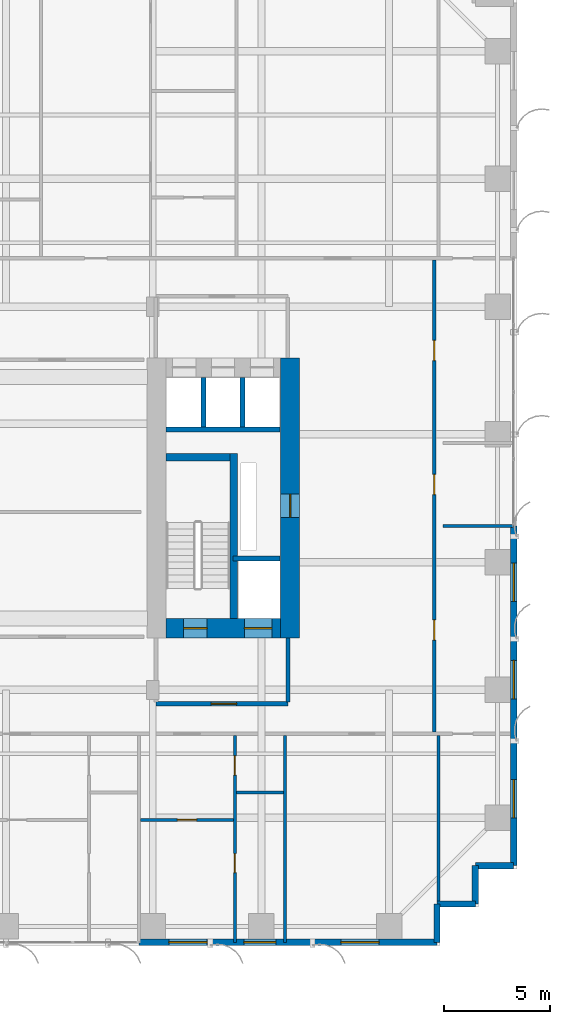
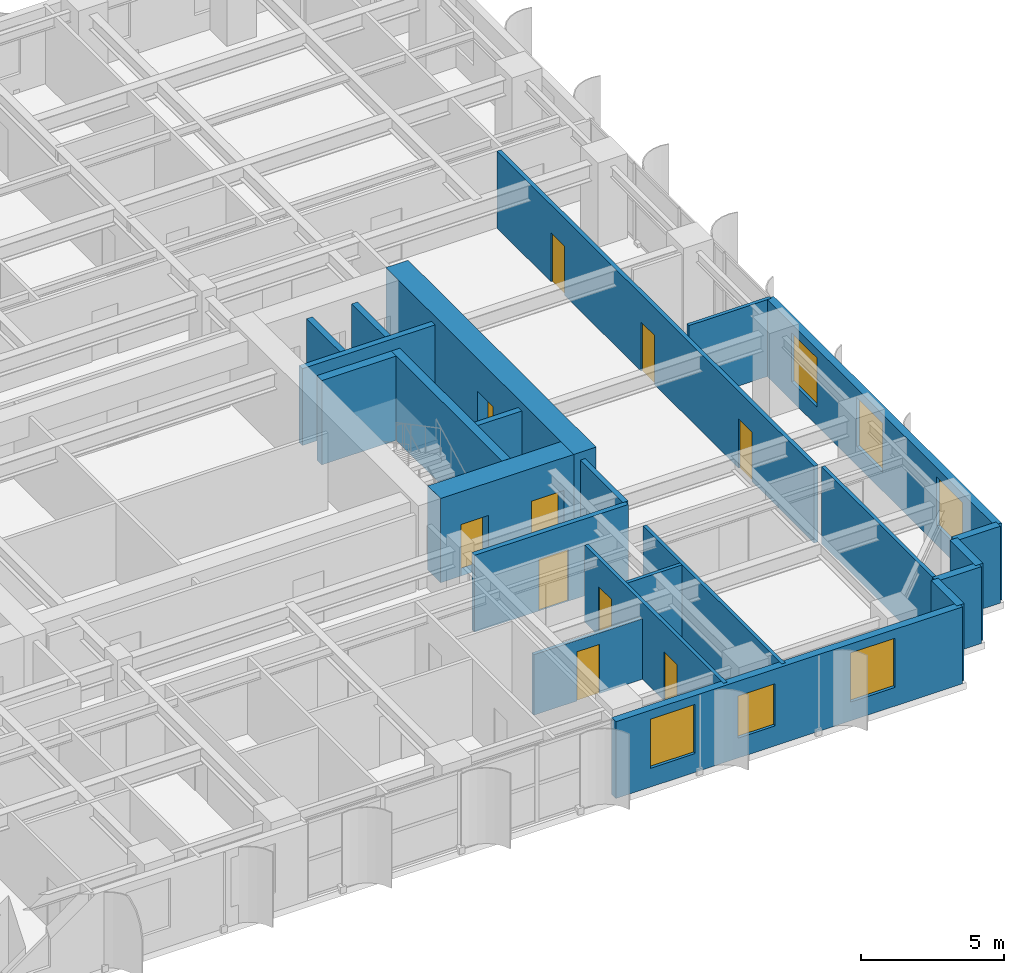
# One storey, part 17 of 23: 23 walls, 10 doors, 6 windows, 16 openings.
"""IFC4 building model written with IfcOpenShell, lengths in metres."""

from ifc_helpers import new_model, si_unit, direction, frame, frame_2d, origin, place, context, subcontext, project, spatial, rectangle, extrude, source, transform, mapped, material, layer, layer_set, type_object, element, fill, save


model = new_model("IFC4")

# Units and contexts
model_context = context("Model", 3, precision=1e-05, world=origin(), true_north=direction((0.0, 1.0)))
body_context = subcontext(model_context, "Body", "Model", "MODEL_VIEW")
ifc_project = project(units=[si_unit("LENGTHUNIT", "METRE"), si_unit("AREAUNIT", "SQUARE_METRE"), si_unit("VOLUMEUNIT", "CUBIC_METRE"), si_unit("PLANEANGLEUNIT", "RADIAN"), si_unit("MASSUNIT", "GRAM", prefix="KILO")], contexts=[model_context])

# Site, building, storey
site_placement = place(None, origin())
site = spatial("IfcSite", under=ifc_project, at=site_placement, CompositionType="ELEMENT")
building_placement = place(site_placement, origin())
building = spatial("IfcBuilding", under=site, at=building_placement, Name="Khoralis Quay Care Tower", CompositionType="ELEMENT")
storey_placement = place(building_placement, frame((0.0, 0.0, 72.89990234375)))
storey = spatial("IfcBuildingStorey", under=building, at=storey_placement, Name="L19", CompositionType="ELEMENT", Elevation=72.89990234375)

# Wall, opening, door
ifc_material_1 = material(Name="Gypsum plasterboard on acoustic metal stud")
ifc_layer_1 = layer(ifc_material_1, 0.199951171875)
ifc_layer_set_1 = layer_set([ifc_layer_1], Name="Gypsum plasterboard on acoustic metal stud")
wall_type_1 = type_object("IfcWallType", Name="WL-COMP-200", PredefinedType="PARTITIONING", material=ifc_layer_set_1)
wall_1_placement = place(storey_placement, frame((31.050048828125, 11.35009765625, 0.0), z_axis=(0.0, 0.0, 1.0), x_axis=(1.0, 0.0, 0.0)))
wall_1 = element("IfcWall", 1, at=wall_1_placement, inside=storey, type_object=wall_type_1, Name="L19 East Firefighting Lobby South Wall", PredefinedType="PARTITIONING", context=body_context, shape_type="SweptSolid", body=[
    extrude(rectangle(XDim=6.199951171875, YDim=0.199951171875, at=frame_2d((3.10009765625, 0.0))), origin(), (0.0, 0.0, 1.0), 3.280029296875),
])
opening_1_placement = place(wall_1_placement, frame((2.585693359375, 0.0, 0.0)))
opening_1 = element("IfcOpeningElement", 2, at=opening_1_placement, cuts=wall_1, Name="Opening FD1", PredefinedType="OPENING", context=body_context, shape_type="SweptSolid", body=[
    extrude(rectangle(XDim=1.199951171875, YDim=2.199951171875, at=frame_2d((0.60009765625, 1.10009765625))), frame((0.0, 0.10986328125, 0.0), z_axis=(0.0, -1.0, 0.0), x_axis=(1.0, 0.0, 0.0)), (0.0, 0.0, 1.0), 0.219970703125),
])
ifc_material_2 = material(Name="Fire-rated painted steel", Category="steel")
door_type_1 = type_object("IfcDoorType", Name="DR-FFL-1200X2200", OperationType="NOTDEFINED", PredefinedType="DOOR", material=ifc_material_2)
shared_shape_1 = source(origin(), body_context, "Body", "SweptSolid", [
    extrude(rectangle(XDim=1.199951171875, YDim=2.199951171875, at=frame_2d((0.60009765625, 1.10009765625))), frame((0.0, 0.02490234375, 0.0), z_axis=(0.0, -1.0, 0.0), x_axis=(1.0, 0.0, 0.0)), (0.0, 0.0, 1.0), 0.050048828125),
])
door_1_placement = place(opening_1_placement, origin())
door_1 = element("IfcDoor", 3, at=door_1_placement, inside=storey, type_object=door_type_1, Name="L19 East Firefighting Lobby Fire Door", OperationType="SINGLE_SWING_RIGHT", OverallHeight=2.199951171875, OverallWidth=1.199951171875, PredefinedType="DOOR", context=body_context, shape_type="MappedRepresentation", body=[
    mapped(shared_shape_1, transform((0.0, 0.0, 0.0), scale=1.0)),
])
fill(opening_1, door_1)

# Wall
wall_2_placement = place(storey_placement, frame((37.25, 11.445068359375, 0.0), z_axis=(0.0, 0.0, 1.0), x_axis=(0.0, 1.0, 0.0)))
element("IfcWall", 4, at=wall_2_placement, inside=storey, type_object=wall_type_1, Name="L19 East Firefighting Lobby East Wall", PredefinedType="PARTITIONING", context=body_context, shape_type="SweptSolid", body=[
    extrude(rectangle(XDim=2.98486328125, YDim=0.199951171875, at=frame_2d((1.492431640625, 0.0))), origin(), (0.0, 0.0, 1.0), 3.280029296875),
])

# Wall, opening, door
ifc_material_3 = material(Name="Concrete C80/95", Category="concrete")
ifc_layer_2 = layer(ifc_material_3, 0.89990234375)
ifc_layer_set_2 = layer_set([ifc_layer_2], Name="Concrete C80/95")
wall_type_2 = type_object("IfcWallType", Name="WL-CORE-900", PredefinedType="SHEAR", material=ifc_layer_set_2)
wall_3_placement = place(storey_placement, frame((37.35009765625, 14.449951171875, 0.0), z_axis=(0.0, 0.0, 1.0), x_axis=(0.0, 1.0, 0.0)))
wall_3 = element("IfcWall", 5, at=wall_3_placement, inside=storey, type_object=wall_type_2, Name="L19 ECORE East Shear Wall", PredefinedType="SHEAR", context=body_context, shape_type="SweptSolid", body=[
    extrude(rectangle(XDim=13.150146484375, YDim=0.89990234375, at=frame_2d((6.5751953125, 0.0))), origin(), (0.0, 0.0, 1.0), 3.60009765625),
])
opening_2_placement = place(wall_3_placement, frame((5.64990234375, 0.0, 0.0)))
opening_2 = element("IfcOpeningElement", 6, at=opening_2_placement, cuts=wall_3, Name="Opening SD1", PredefinedType="OPENING", context=body_context, shape_type="SweptSolid", body=[
    extrude(rectangle(XDim=1.10009765625, YDim=2.199951171875, at=frame_2d((0.550048828125, 1.10009765625))), frame((0.0, 0.4599609375, 0.0), z_axis=(0.0, -1.0, 0.0), x_axis=(1.0, 0.0, 0.0)), (0.0, 0.0, 1.0), 0.919921875),
])
door_type_2 = type_object("IfcDoorType", Name="DR-STAIR-1100X2200", OperationType="NOTDEFINED", PredefinedType="DOOR", material=ifc_material_2)
shared_shape_2 = source(origin(), body_context, "Body", "SweptSolid", [
    extrude(rectangle(XDim=1.10009765625, YDim=2.199951171875, at=frame_2d((0.550048828125, 1.10009765625))), frame((0.0, 0.02490234375, 0.0), z_axis=(0.0, -1.0, 0.0), x_axis=(1.0, 0.0, 0.0)), (0.0, 0.0, 1.0), 0.050048828125),
])
door_2_placement = place(opening_2_placement, frame((1.10009765625, 0.0, 0.0), z_axis=(0.0, 0.0, 1.0), x_axis=(-1.0, 0.0, 0.0)))
door_2 = element("IfcDoor", 7, at=door_2_placement, inside=storey, type_object=door_type_2, Name="L19 East MEP Riser Door", OperationType="SINGLE_SWING_RIGHT", OverallHeight=2.199951171875, OverallWidth=1.10009765625, PredefinedType="DOOR", context=body_context, shape_type="MappedRepresentation", body=[
    mapped(shared_shape_2, transform((0.0, 0.0, 0.0), scale=1.0)),
])
fill(opening_2, door_2)

# Wall, openings, doors
wall_4_placement = place(storey_placement, frame((31.52001953125, 14.89990234375, 0.0), z_axis=(0.0, 0.0, 1.0), x_axis=(1.0, 0.0, 0.0)))
wall_4 = element("IfcWall", 8, at=wall_4_placement, inside=storey, type_object=wall_type_2, Name="L19 ECORE South Shear Wall", PredefinedType="SHEAR", context=body_context, shape_type="SweptSolid", body=[
    extrude(rectangle(XDim=5.3798828125, YDim=0.89990234375, at=frame_2d((2.68994140625, 0.0))), origin(), (0.0, 0.0, 1.0), 3.60009765625),
])
opening_3_placement = place(wall_4_placement, frame((0.830078125, 0.0, 0.0)))
opening_3 = element("IfcOpeningElement", 9, at=opening_3_placement, cuts=wall_4, Name="Opening SD1", PredefinedType="OPENING", context=body_context, shape_type="SweptSolid", body=[
    extrude(rectangle(XDim=1.10009765625, YDim=2.199951171875, at=frame_2d((0.550048828125, 1.10009765625))), frame((0.0, 0.4599609375, 0.0), z_axis=(0.0, -1.0, 0.0), x_axis=(1.0, 0.0, 0.0)), (0.0, 0.0, 1.0), 0.919921875),
])
opening_4_placement = place(wall_4_placement, frame((3.679931640625, 0.0, 0.0)))
opening_4 = element("IfcOpeningElement", 10, at=opening_4_placement, cuts=wall_4, Name="Opening LD2", PredefinedType="OPENING", context=body_context, shape_type="SweptSolid", body=[
    extrude(rectangle(XDim=1.300048828125, YDim=2.199951171875, at=frame_2d((0.64990234375, 1.10009765625))), frame((0.0, 0.4599609375, 0.0), z_axis=(0.0, -1.0, 0.0), x_axis=(1.0, 0.0, 0.0)), (0.0, 0.0, 1.0), 0.919921875),
])
door_3_placement = place(opening_3_placement, origin())
door_3 = element("IfcDoor", 11, at=door_3_placement, inside=storey, type_object=door_type_2, Name="L19 Stair ST-T2 Fire Door", OperationType="SINGLE_SWING_RIGHT", OverallHeight=2.199951171875, OverallWidth=1.10009765625, PredefinedType="DOOR", context=body_context, shape_type="MappedRepresentation", body=[
    mapped(shared_shape_2, transform((0.0, 0.0, 0.0), scale=1.0)),
])
fill(opening_3, door_3)
ifc_material_4 = material(Name="Brushed stainless steel", Category="steel")
door_type_3 = type_object("IfcDoorType", Name="DR-LIFT-1300X2200", OperationType="SLIDING_TO_RIGHT", PredefinedType="DOOR", material=ifc_material_4)
shared_shape_3 = source(origin(), body_context, "Body", "SweptSolid", [
    extrude(rectangle(XDim=1.300048828125, YDim=2.199951171875, at=frame_2d((0.64990234375, 1.10009765625))), frame((0.0, 0.02490234375, 0.0), z_axis=(0.0, -1.0, 0.0), x_axis=(1.0, 0.0, 0.0)), (0.0, 0.0, 1.0), 0.050048828125),
])
door_4_placement = place(opening_4_placement, origin())
door_4 = element("IfcDoor", 12, at=door_4_placement, inside=storey, type_object=door_type_3, Name="L19 Firefighting Lift FFL-2 Landing Door", OperationType="SLIDING_TO_RIGHT", OverallHeight=2.199951171875, OverallWidth=1.300048828125, PredefinedType="DOOR", context=body_context, shape_type="MappedRepresentation", body=[
    mapped(shared_shape_3, transform((0.0, 0.0, 0.0), scale=1.0)),
])
fill(opening_4, door_4)

ifc_layer_3 = layer(ifc_material_1, 0.1650390625)
ifc_layer_set_3 = layer_set([ifc_layer_3], Name="Gypsum plasterboard on acoustic metal stud")
wall_type_3 = type_object("IfcWallType", Name="WL-CORR-165", PredefinedType="PARTITIONING", material=ifc_layer_set_3)
wall_5_placement = place(storey_placement, frame((44.1201171875, 10.017578125, 0.0), z_axis=(0.0, 0.0, 1.0), x_axis=(0.0, 1.0, 0.0)))
wall_5 = element("IfcWall", 13, at=wall_5_placement, inside=storey, type_object=wall_type_3, Name="L19 East Loop Corridor Wall", PredefinedType="PARTITIONING", context=body_context, shape_type="SweptSolid", body=[
    extrude(rectangle(XDim=22.184814453125, YDim=0.1650390625, at=frame_2d((11.09228515625, 0.0))), origin(), (0.0, 0.0, 1.0), 3.280029296875),
])
opening_5_placement = place(wall_5_placement, frame((4.327392578125, 0.0, 0.0)))
opening_5 = element("IfcOpeningElement", 14, at=opening_5_placement, cuts=wall_5, Name="Opening ID1", PredefinedType="OPENING", context=body_context, shape_type="SweptSolid", body=[
    extrude(rectangle(XDim=0.949951171875, YDim=2.10009765625, at=frame_2d((0.47509765625, 1.050048828125))), frame((0.0, 0.092529296875, 0.0), z_axis=(0.0, -1.0, 0.0), x_axis=(1.0, 0.0, 0.0)), (0.0, 0.0, 1.0), 0.18505859375),
])
opening_6_placement = place(wall_5_placement, frame((11.157470703125, 0.0, 0.0)))
opening_6 = element("IfcOpeningElement", 15, at=opening_6_placement, cuts=wall_5, Name="Opening ID1", PredefinedType="OPENING", context=body_context, shape_type="SweptSolid", body=[
    extrude(rectangle(XDim=0.949951171875, YDim=2.10009765625, at=frame_2d((0.47509765625, 1.050048828125))), frame((0.0, 0.092529296875, 0.0), z_axis=(0.0, -1.0, 0.0), x_axis=(1.0, 0.0, 0.0)), (0.0, 0.0, 1.0), 0.18505859375),
])
opening_7_placement = place(wall_5_placement, frame((17.447509765625, 0.0, 0.0)))
opening_7 = element("IfcOpeningElement", 16, at=opening_7_placement, cuts=wall_5, Name="Opening ID1", PredefinedType="OPENING", context=body_context, shape_type="SweptSolid", body=[
    extrude(rectangle(XDim=0.949951171875, YDim=2.10009765625, at=frame_2d((0.47509765625, 1.050048828125))), frame((0.0, 0.092529296875, 0.0), z_axis=(0.0, -1.0, 0.0), x_axis=(1.0, 0.0, 0.0)), (0.0, 0.0, 1.0), 0.18505859375),
])
ifc_material_5 = material(Name="Acoustic hardwood timber", Category="wood")
door_type_4 = type_object("IfcDoorType", Name="DR-ROOM-950X2100", OperationType="NOTDEFINED", PredefinedType="DOOR", material=ifc_material_5)
shared_shape_4 = source(origin(), body_context, "Body", "SweptSolid", [
    extrude(rectangle(XDim=0.949951171875, YDim=2.10009765625, at=frame_2d((0.47509765625, 1.050048828125))), frame((0.0, 0.02490234375, 0.0), z_axis=(0.0, -1.0, 0.0), x_axis=(1.0, 0.0, 0.0)), (0.0, 0.0, 1.0), 0.050048828125),
])
door_5_placement = place(opening_5_placement, frame((0.949951171875, 0.0, 0.0), z_axis=(0.0, 0.0, 1.0), x_axis=(-1.0, 0.0, 0.0)))
door_5 = element("IfcDoor", 17, at=door_5_placement, inside=storey, type_object=door_type_4, Name="L19 Therapy Consultation Room Door", OperationType="SINGLE_SWING_LEFT", OverallHeight=2.10009765625, OverallWidth=0.949951171875, PredefinedType="DOOR", context=body_context, shape_type="MappedRepresentation", body=[
    mapped(shared_shape_4, transform((0.0, 0.0, 0.0), scale=1.0)),
])
fill(opening_5, door_5)
door_6_placement = place(opening_6_placement, frame((0.949951171875, 0.0, 0.0), z_axis=(0.0, 0.0, 1.0), x_axis=(-1.0, 0.0, 0.0)))
door_6 = element("IfcDoor", 18, at=door_6_placement, inside=storey, type_object=door_type_4, Name="L19 Assisted Activity Lounge Door", OperationType="SINGLE_SWING_RIGHT", OverallHeight=2.10009765625, OverallWidth=0.949951171875, PredefinedType="DOOR", context=body_context, shape_type="MappedRepresentation", body=[
    mapped(shared_shape_4, transform((0.0, 0.0, 0.0), scale=1.0)),
])
fill(opening_6, door_6)
door_7_placement = place(opening_7_placement, frame((0.949951171875, 0.0, 0.0), z_axis=(0.0, 0.0, 1.0), x_axis=(-1.0, 0.0, 0.0)))
door_7 = element("IfcDoor", 19, at=door_7_placement, inside=storey, type_object=door_type_4, Name="L19 Nurse Charting Office Door", OperationType="SINGLE_SWING_LEFT", OverallHeight=2.10009765625, OverallWidth=0.949951171875, PredefinedType="DOOR", context=body_context, shape_type="MappedRepresentation", body=[
    mapped(shared_shape_4, transform((0.0, 0.0, 0.0), scale=1.0)),
])
fill(opening_7, door_7)

# Wall, openings, windows
ifc_material_6 = material(Name="Precast concrete C45/55", Category="concrete")
ifc_layer_4 = layer(ifc_material_6, 0.300048828125)
ifc_layer_set_4 = layer_set([ifc_layer_4], Name="Precast concrete C45/55")
wall_type_4 = type_object("IfcWallType", Name="WL-EXT-REF-300", PredefinedType="SOLIDWALL", material=ifc_layer_set_4)
wall_6_placement = place(storey_placement, frame((30.25, 0.14990234375, 0.0), z_axis=(0.0, 0.0, 1.0), x_axis=(1.0, 0.0, 0.0)))
wall_6 = element("IfcWall", 20, at=wall_6_placement, inside=storey, type_object=wall_type_4, Name="L19 External Facade Wall WL-EXT-L19-P1-E0B", PredefinedType="SOLIDWALL", context=body_context, shape_type="SweptSolid", body=[
    extrude(rectangle(XDim=14.0, YDim=0.300048828125, at=frame_2d((7.0, 0.0))), origin(), (0.0, 0.0, 1.0), 3.280029296875),
])
opening_8_placement = place(wall_6_placement, frame((1.405029296875, 0.0, 0.800048828125)))
opening_8 = element("IfcOpeningElement", 21, at=opening_8_placement, cuts=wall_6, Name="Opening W2", PredefinedType="OPENING", context=body_context, shape_type="SweptSolid", body=[
    extrude(rectangle(XDim=1.800048828125, YDim=2.10009765625, at=frame_2d((0.89990234375, 1.050048828125))), frame((0.0, 0.16015625, 0.0), z_axis=(0.0, -1.0, 0.0), x_axis=(1.0, 0.0, 0.0)), (0.0, 0.0, 1.0), 0.320068359375),
])
opening_9_placement = place(wall_6_placement, frame((4.93505859375, 0.0, 0.85009765625)))
opening_9 = element("IfcOpeningElement", 22, at=opening_9_placement, cuts=wall_6, Name="Opening W3", PredefinedType="OPENING", context=body_context, shape_type="SweptSolid", body=[
    extrude(rectangle(XDim=1.5, YDim=1.800048828125, at=frame_2d((0.75, 0.89990234375))), frame((0.0, 0.16015625, 0.0), z_axis=(0.0, -1.0, 0.0), x_axis=(1.0, 0.0, 0.0)), (0.0, 0.0, 1.0), 0.320068359375),
])
opening_10_placement = place(wall_6_placement, frame((9.47998046875, 0.0, 0.800048828125)))
opening_10 = element("IfcOpeningElement", 23, at=opening_10_placement, cuts=wall_6, Name="Opening W2", PredefinedType="OPENING", context=body_context, shape_type="SweptSolid", body=[
    extrude(rectangle(XDim=1.800048828125, YDim=2.10009765625, at=frame_2d((0.89990234375, 1.050048828125))), frame((0.0, 0.16015625, 0.0), z_axis=(0.0, -1.0, 0.0), x_axis=(1.0, 0.0, 0.0)), (0.0, 0.0, 1.0), 0.320068359375),
])
ifc_material_7 = material(Name="Low-E solar-control double glazing", Category="glass")
window_type_1 = type_object("IfcWindowType", Name="WN-CLIN-1500X1800", PartitioningType="SINGLE_PANEL", PredefinedType="WINDOW", material=ifc_material_7)
shared_shape_5 = source(origin(), body_context, "Body", "SweptSolid", [
    extrude(rectangle(XDim=1.5, YDim=1.800048828125, at=frame_2d((0.75, 0.89990234375))), frame((0.0, 0.030029296875, 0.0), z_axis=(0.0, -1.0, 0.0), x_axis=(1.0, 0.0, 0.0)), (0.0, 0.0, 1.0), 0.06005859375),
])
window_1_placement = place(opening_9_placement, origin())
window_1 = element("IfcWindow", 24, at=window_1_placement, inside=storey, type_object=window_type_1, Name="WN-L19-P1-E0B Facade Window 02", OverallHeight=1.800048828125, OverallWidth=1.5, PartitioningType="SINGLE_PANEL", PredefinedType="WINDOW", context=body_context, shape_type="MappedRepresentation", body=[
    mapped(shared_shape_5, transform((0.0, 0.0, 0.0), scale=1.0)),
])
fill(opening_9, window_1)
window_type_2 = type_object("IfcWindowType", Name="WN-POD-1800X2100", PartitioningType="SINGLE_PANEL", PredefinedType="WINDOW", material=ifc_material_7)
shared_shape_6 = source(origin(), body_context, "Body", "SweptSolid", [
    extrude(rectangle(XDim=1.800048828125, YDim=2.10009765625, at=frame_2d((0.89990234375, 1.050048828125))), frame((0.0, 0.030029296875, 0.0), z_axis=(0.0, -1.0, 0.0), x_axis=(1.0, 0.0, 0.0)), (0.0, 0.0, 1.0), 0.06005859375),
])
window_2_placement = place(opening_8_placement, origin())
window_2 = element("IfcWindow", 25, at=window_2_placement, inside=storey, type_object=window_type_2, Name="WN-L19-P1-E0B Facade Window 01", OverallHeight=2.10009765625, OverallWidth=1.800048828125, PartitioningType="SINGLE_PANEL", PredefinedType="WINDOW", context=body_context, shape_type="MappedRepresentation", body=[
    mapped(shared_shape_6, transform((0.0, 0.0, 0.0), scale=1.0)),
])
fill(opening_8, window_2)
window_3_placement = place(opening_10_placement, origin())
window_3 = element("IfcWindow", 26, at=window_3_placement, inside=storey, type_object=window_type_2, Name="WN-L19-P1-E0B Facade Window 03", OverallHeight=2.10009765625, OverallWidth=1.800048828125, PartitioningType="SINGLE_PANEL", PredefinedType="WINDOW", context=body_context, shape_type="MappedRepresentation", body=[
    mapped(shared_shape_6, transform((0.0, 0.0, 0.0), scale=1.0)),
])
fill(opening_10, window_3)

# Walls
for number, where, z_axis, x_axis, name in (
    (27, (44.25, 0.14990234375, 0.0), (0.0, 0.0, 1.0), (0.0, 1.0, 0.0), "L19 External Facade Wall WL-EXT-L19-P1-C1"),
    (28, (44.25, 1.949951171875, 0.0), (0.0, 0.0, 1.0), (1.0, 0.0, 0.0), "L19 External Facade Wall WL-EXT-L19-P1-C2"),
    (29, (46.050048828125, 1.949951171875, 0.0), (0.0, 0.0, 1.0), (0.0, 1.0, 0.0), "L19 External Facade Wall WL-EXT-L19-P1-C3"),
    (30, (46.050048828125, 3.75, 0.0), (0.0, 0.0, 1.0), (1.0, 0.0, 0.0), "L19 External Facade Wall WL-EXT-L19-P1-C4"),
):
    element("IfcWall", number, at=place(storey_placement, frame(where, z_axis=z_axis, x_axis=x_axis)), inside=storey, type_object=wall_type_4, Name=name, PredefinedType="SOLIDWALL", context=body_context, shape_type="SweptSolid", body=[
        extrude(rectangle(XDim=1.800048828125, YDim=0.300048828125, at=frame_2d((0.89990234375, 0.0))), origin(), (0.0, 0.0, 1.0), 3.280029296875),
    ])

# Wall, openings, windows
wall_7_placement = place(storey_placement, frame((47.85009765625, 3.75, 0.0), z_axis=(0.0, 0.0, 1.0), x_axis=(0.0, 1.0, 0.0)))
wall_7 = element("IfcWall", 31, at=wall_7_placement, inside=storey, type_object=wall_type_4, Name="L19 External Facade Wall WL-EXT-L19-P1-E5A", PredefinedType="SOLIDWALL", context=body_context, shape_type="SweptSolid", body=[
    extrude(rectangle(XDim=15.949951171875, YDim=0.300048828125, at=frame_2d((7.97509765625, 0.0))), origin(), (0.0, 0.0, 1.0), 3.280029296875),
])
opening_11_placement = place(wall_7_placement, frame((2.2451171875, 0.0, 0.800048828125)))
opening_11 = element("IfcOpeningElement", 32, at=opening_11_placement, cuts=wall_7, Name="Opening W2", PredefinedType="OPENING", context=body_context, shape_type="SweptSolid", body=[
    extrude(rectangle(XDim=1.800048828125, YDim=2.10009765625, at=frame_2d((0.89990234375, 1.050048828125))), frame((0.0, 0.16015625, 0.0), z_axis=(0.0, -1.0, 0.0), x_axis=(1.0, 0.0, 0.0)), (0.0, 0.0, 1.0), 0.320068359375),
])
opening_12_placement = place(wall_7_placement, frame((7.8349609375, 0.0, 0.800048828125)))
opening_12 = element("IfcOpeningElement", 33, at=opening_12_placement, cuts=wall_7, Name="Opening W2", PredefinedType="OPENING", context=body_context, shape_type="SweptSolid", body=[
    extrude(rectangle(XDim=1.800048828125, YDim=2.10009765625, at=frame_2d((0.89990234375, 1.050048828125))), frame((0.0, 0.16015625, 0.0), z_axis=(0.0, -1.0, 0.0), x_axis=(1.0, 0.0, 0.0)), (0.0, 0.0, 1.0), 0.320068359375),
])
opening_13_placement = place(wall_7_placement, frame((12.405029296875, 0.0, 0.800048828125)))
opening_13 = element("IfcOpeningElement", 34, at=opening_13_placement, cuts=wall_7, Name="Opening W2", PredefinedType="OPENING", context=body_context, shape_type="SweptSolid", body=[
    extrude(rectangle(XDim=1.800048828125, YDim=2.10009765625, at=frame_2d((0.89990234375, 1.050048828125))), frame((0.0, 0.16015625, 0.0), z_axis=(0.0, -1.0, 0.0), x_axis=(1.0, 0.0, 0.0)), (0.0, 0.0, 1.0), 0.320068359375),
])
window_4_placement = place(opening_11_placement, origin())
window_4 = element("IfcWindow", 35, at=window_4_placement, inside=storey, type_object=window_type_2, Name="WN-L19-P1-E5A Facade Window 01", OverallHeight=2.10009765625, OverallWidth=1.800048828125, PartitioningType="SINGLE_PANEL", PredefinedType="WINDOW", context=body_context, shape_type="MappedRepresentation", body=[
    mapped(shared_shape_6, transform((0.0, 0.0, 0.0), scale=1.0)),
])
fill(opening_11, window_4)
window_5_placement = place(opening_12_placement, origin())
window_5 = element("IfcWindow", 36, at=window_5_placement, inside=storey, type_object=window_type_2, Name="WN-L19-P1-E5A Facade Window 02", OverallHeight=2.10009765625, OverallWidth=1.800048828125, PartitioningType="SINGLE_PANEL", PredefinedType="WINDOW", context=body_context, shape_type="MappedRepresentation", body=[
    mapped(shared_shape_6, transform((0.0, 0.0, 0.0), scale=1.0)),
])
fill(opening_12, window_5)
window_6_placement = place(opening_13_placement, origin())
window_6 = element("IfcWindow", 37, at=window_6_placement, inside=storey, type_object=window_type_2, Name="WN-L19-P1-E5A Facade Window 03", OverallHeight=2.10009765625, OverallWidth=1.800048828125, PartitioningType="SINGLE_PANEL", PredefinedType="WINDOW", context=body_context, shape_type="MappedRepresentation", body=[
    mapped(shared_shape_6, transform((0.0, 0.0, 0.0), scale=1.0)),
])
fill(opening_13, window_6)

# Wall, openings, doors
ifc_material_8 = material(Name="Moisture-resistant gypsum and ceramic tile")
ifc_layer_5 = layer(ifc_material_8, 0.280029296875)
ifc_layer_set_5 = layer_set([ifc_layer_5], Name="Moisture-resistant gypsum and ceramic tile")
wall_type_5 = type_object("IfcWallType", Name="WL-PLUMB-280", PredefinedType="PLUMBINGWALL", material=ifc_layer_set_5)
wall_8_placement = place(storey_placement, frame((34.760009765625, 0.14501953125, 0.0), z_axis=(0.0, 0.0, 1.0), x_axis=(0.0, 1.0, 0.0)))
wall_8 = element("IfcWall", 38, at=wall_8_placement, inside=storey, type_object=wall_type_5, Name="L19 Care Suite 3 En-Suite Wall V", PredefinedType="PLUMBINGWALL", context=body_context, shape_type="SweptSolid", body=[
    extrude(rectangle(XDim=9.717529296875, YDim=0.139892578125, at=frame_2d((4.85888671875, 0.0))), origin(), (0.0, 0.0, 1.0), 3.280029296875),
])
opening_14_placement = place(wall_8_placement, frame((7.85498046875, 0.0, 0.0)))
opening_14 = element("IfcOpeningElement", 39, at=opening_14_placement, cuts=wall_8, Name="Opening WD1", PredefinedType="OPENING", context=body_context, shape_type="SweptSolid", body=[
    extrude(rectangle(XDim=0.89990234375, YDim=2.10009765625, at=frame_2d((0.449951171875, 1.050048828125))), frame((0.0, 0.080078125, 0.0), z_axis=(0.0, -1.0, 0.0), x_axis=(1.0, 0.0, 0.0)), (0.0, 0.0, 1.0), 0.159912109375),
])
opening_15_placement = place(wall_8_placement, frame((3.27490234375, 0.0, 0.0)))
opening_15 = element("IfcOpeningElement", 40, at=opening_15_placement, cuts=wall_8, Name="Opening WD1", PredefinedType="OPENING", context=body_context, shape_type="SweptSolid", body=[
    extrude(rectangle(XDim=0.89990234375, YDim=2.10009765625, at=frame_2d((0.449951171875, 1.050048828125))), frame((0.0, 0.080078125, 0.0), z_axis=(0.0, -1.0, 0.0), x_axis=(1.0, 0.0, 0.0)), (0.0, 0.0, 1.0), 0.159912109375),
])
door_type_5 = type_object("IfcDoorType", Name="DR-BATH-900X2100", OperationType="NOTDEFINED", PredefinedType="DOOR", material=ifc_material_5)
shared_shape_7 = source(origin(), body_context, "Body", "SweptSolid", [
    extrude(rectangle(XDim=0.89990234375, YDim=2.10009765625, at=frame_2d((0.449951171875, 1.050048828125))), frame((0.0, 0.02490234375, 0.0), z_axis=(0.0, -1.0, 0.0), x_axis=(1.0, 0.0, 0.0)), (0.0, 0.0, 1.0), 0.050048828125),
])
door_8_placement = place(opening_14_placement, frame((0.89990234375, 0.0, 0.0), z_axis=(0.0, 0.0, 1.0), x_axis=(-1.0, 0.0, 0.0)))
door_8 = element("IfcDoor", 41, at=door_8_placement, inside=storey, type_object=door_type_5, Name="L19 Care CENS Door", OperationType="SINGLE_SWING_LEFT", OverallHeight=2.10009765625, OverallWidth=0.89990234375, PredefinedType="DOOR", context=body_context, shape_type="MappedRepresentation", body=[
    mapped(shared_shape_7, transform((0.0, 0.0, 0.0), scale=1.0)),
])
fill(opening_14, door_8)
door_9_placement = place(opening_15_placement, frame((0.89990234375, 0.0, 0.0), z_axis=(0.0, 0.0, 1.0), x_axis=(-1.0, 0.0, 0.0)))
door_9 = element("IfcDoor", 42, at=door_9_placement, inside=storey, type_object=door_type_5, Name="L19 Care CSIT Door", OperationType="SINGLE_SWING_RIGHT", OverallHeight=2.10009765625, OverallWidth=0.89990234375, PredefinedType="DOOR", context=body_context, shape_type="MappedRepresentation", body=[
    mapped(shared_shape_7, transform((0.0, 0.0, 0.0), scale=1.0)),
])
fill(opening_15, door_9)

# Walls
wall_9_placement = place(storey_placement, frame((34.824951171875, 7.18994140625, 0.0), z_axis=(0.0, 0.0, 1.0), x_axis=(1.0, 0.0, 0.0)))
element("IfcWall", 43, at=wall_9_placement, inside=storey, type_object=wall_type_5, Name="L19 Care Suite 3 En-Suite Wall H", PredefinedType="PLUMBINGWALL", context=body_context, shape_type="SweptSolid", body=[
    extrude(rectangle(XDim=2.219970703125, YDim=0.139892578125, at=frame_2d((1.10986328125, 0.0))), origin(), (0.0, 0.0, 1.0), 3.280029296875),
])
ifc_material_9 = material(Name="Concrete C40/50", Category="concrete")
ifc_layer_6 = layer(ifc_material_9, 0.35009765625)
ifc_layer_set_6 = layer_set([ifc_layer_6], Name="Concrete C40/50")
wall_type_6 = type_object("IfcWallType", Name="WL-SC-CORE-350", PredefinedType="SHEAR", material=ifc_layer_set_6)
wall_10_placement = place(storey_placement, frame((34.695068359375, 15.35009765625, 0.0), z_axis=(0.0, 0.0, 1.0), x_axis=(0.0, 1.0, 0.0)))
element("IfcWall", 44, at=wall_10_placement, inside=storey, type_object=wall_type_6, Name="L19 Stair ST-T2 Shear Baffle Wall East", PredefinedType="SHEAR", context=body_context, shape_type="SweptSolid", body=[
    extrude(rectangle(XDim=7.75, YDim=0.35009765625, at=frame_2d((3.875, 0.0))), origin(), (0.0, 0.0, 1.0), 3.60009765625),
])
wall_11_placement = place(storey_placement, frame((31.52001953125, 22.925048828125, 0.0), z_axis=(0.0, 0.0, 1.0), x_axis=(1.0, 0.0, 0.0)))
element("IfcWall", 45, at=wall_11_placement, inside=storey, type_object=wall_type_6, Name="L19 Stair ST-T2 Shear Baffle Wall North", PredefinedType="SHEAR", context=body_context, shape_type="SweptSolid", body=[
    extrude(rectangle(XDim=3.0, YDim=0.35009765625, at=frame_2d((1.5, 0.0))), origin(), (0.0, 0.0, 1.0), 3.60009765625),
])
ifc_layer_7 = layer(ifc_material_1, 0.239990234375)
ifc_layer_set_7 = layer_set([ifc_layer_7], Name="Gypsum plasterboard on acoustic metal stud")
wall_type_7 = type_object("IfcWallType", Name="WL-SHAFT-240", PredefinedType="PARTITIONING", material=ifc_layer_set_7)
wall_12_placement = place(storey_placement, frame((34.679931640625, 18.169921875, 0.0), z_axis=(0.0, 0.0, 1.0), x_axis=(1.0, 0.0, 0.0)))
element("IfcWall", 46, at=wall_12_placement, inside=storey, type_object=wall_type_7, Name="L19 FFL-2 Shaft Wall North", PredefinedType="PARTITIONING", context=body_context, shape_type="SweptSolid", body=[
    extrude(rectangle(XDim=2.199951171875, YDim=0.239990234375, at=frame_2d((1.10009765625, 0.0))), origin(), (0.0, 0.0, 1.0), 3.280029296875),
])
wall_13_placement = place(storey_placement, frame((31.52001953125, 24.22998046875, 0.0), z_axis=(0.0, 0.0, 1.0), x_axis=(1.0, 0.0, 0.0)))
element("IfcWall", 47, at=wall_13_placement, inside=storey, type_object=wall_type_7, Name="L19 East Passenger Shaft South Wall", PredefinedType="PARTITIONING", context=body_context, shape_type="SweptSolid", body=[
    extrude(rectangle(XDim=5.35986328125, YDim=0.239990234375, at=frame_2d((2.679931640625, 0.0))), origin(), (0.0, 0.0, 1.0), 3.280029296875),
])
for number, where, z_axis, x_axis, name in (
    (48, (33.2900390625, 24.344970703125, 0.0), (0.0, 0.0, 1.0), (0.0, 1.0, 0.0), "L19 East Shaft Divider 1"),
    (49, (35.110107421875, 24.344970703125, 0.0), (0.0, 0.0, 1.0), (0.0, 1.0, 0.0), "L19 East Shaft Divider 2"),
):
    element("IfcWall", number, at=place(storey_placement, frame(where, z_axis=z_axis, x_axis=x_axis)), inside=storey, type_object=wall_type_7, Name=name, PredefinedType="PARTITIONING", context=body_context, shape_type="SweptSolid", body=[
        extrude(rectangle(XDim=2.3349609375, YDim=0.239990234375, at=frame_2d((1.16748046875, 0.0))), origin(), (0.0, 0.0, 1.0), 3.280029296875),
    ])
ifc_layer_8 = layer(ifc_material_1, 0.139892578125)
ifc_layer_set_8 = layer_set([ifc_layer_8], Name="Gypsum plasterboard on acoustic metal stud")
wall_type_8 = type_object("IfcWallType", Name="WL-UNIT-140", PredefinedType="PARTITIONING", material=ifc_layer_set_8)
wall_14_placement = place(storey_placement, frame((44.5400390625, 19.699951171875, 0.0), z_axis=(0.0, 0.0, 1.0), x_axis=(1.0, 0.0, 0.0)))
element("IfcWall", 50, at=wall_14_placement, inside=storey, type_object=wall_type_8, Name="L19 EE Divider 1", PredefinedType="PARTITIONING", context=body_context, shape_type="SweptSolid", body=[
    extrude(rectangle(XDim=3.31494140625, YDim=0.139892578125, at=frame_2d((1.657470703125, 0.0))), origin(), (0.0, 0.0, 1.0), 3.280029296875),
])
wall_15_placement = place(storey_placement, frame((37.110107421875, 0.14501953125, 0.0), z_axis=(0.0, 0.0, 1.0), x_axis=(0.0, 1.0, 0.0)))
element("IfcWall", 51, at=wall_15_placement, inside=storey, type_object=wall_type_8, Name="L19 SB Demising Wall 4", PredefinedType="PARTITIONING", context=body_context, shape_type="SweptSolid", body=[
    extrude(rectangle(XDim=9.717529296875, YDim=0.139892578125, at=frame_2d((4.85888671875, 0.0))), origin(), (0.0, 0.0, 1.0), 3.280029296875),
])
wall_16_placement = place(storey_placement, frame((44.320068359375, 1.945068359375, 0.0), z_axis=(0.0, 0.0, 1.0), x_axis=(0.0, 1.0, 0.0)))
element("IfcWall", 52, at=wall_16_placement, inside=storey, type_object=wall_type_8, Name="L19 SB Demising Wall 5", PredefinedType="PARTITIONING", context=body_context, shape_type="SweptSolid", body=[
    extrude(rectangle(XDim=7.91748046875, YDim=0.139892578125, at=frame_2d((3.958740234375, 0.0))), origin(), (0.0, 0.0, 1.0), 3.280029296875),
])

# Wall, opening, door
wall_17_placement = place(storey_placement, frame((30.31494140625, 5.89990234375, 0.0), z_axis=(0.0, 0.0, 1.0), x_axis=(1.0, 0.0, 0.0)))
wall_17 = element("IfcWall", 53, at=wall_17_placement, inside=storey, type_object=wall_type_8, Name="Skilled Care Bedroom L19-SB3 Sub-Partition", PredefinedType="PARTITIONING", context=body_context, shape_type="SweptSolid", body=[
    extrude(rectangle(XDim=4.380126953125, YDim=0.139892578125, at=frame_2d((2.18994140625, 0.0))), origin(), (0.0, 0.0, 1.0), 2.585205078125),
])
opening_16_placement = place(wall_17_placement, frame((1.739990234375, 0.0, 0.0)))
opening_16 = element("IfcOpeningElement", 54, at=opening_16_placement, cuts=wall_17, Name="Opening WD1", PredefinedType="OPENING", context=body_context, shape_type="SweptSolid", body=[
    extrude(rectangle(XDim=0.89990234375, YDim=2.10009765625, at=frame_2d((0.449951171875, 1.050048828125))), frame((0.0, 0.080078125, 0.0), z_axis=(0.0, -1.0, 0.0), x_axis=(1.0, 0.0, 0.0)), (0.0, 0.0, 1.0), 0.159912109375),
])
door_10_placement = place(opening_16_placement, origin())
door_10 = element("IfcDoor", 55, at=door_10_placement, inside=storey, type_object=door_type_5, Name="Private Study & Reading Alcove ARE3 Door", OperationType="SINGLE_SWING_LEFT", OverallHeight=2.10009765625, OverallWidth=0.89990234375, PredefinedType="DOOR", context=body_context, shape_type="MappedRepresentation", body=[
    mapped(shared_shape_7, transform((0.0, 0.0, 0.0), scale=1.0)),
])
fill(opening_16, door_10)

save(model, "model.ifc")
